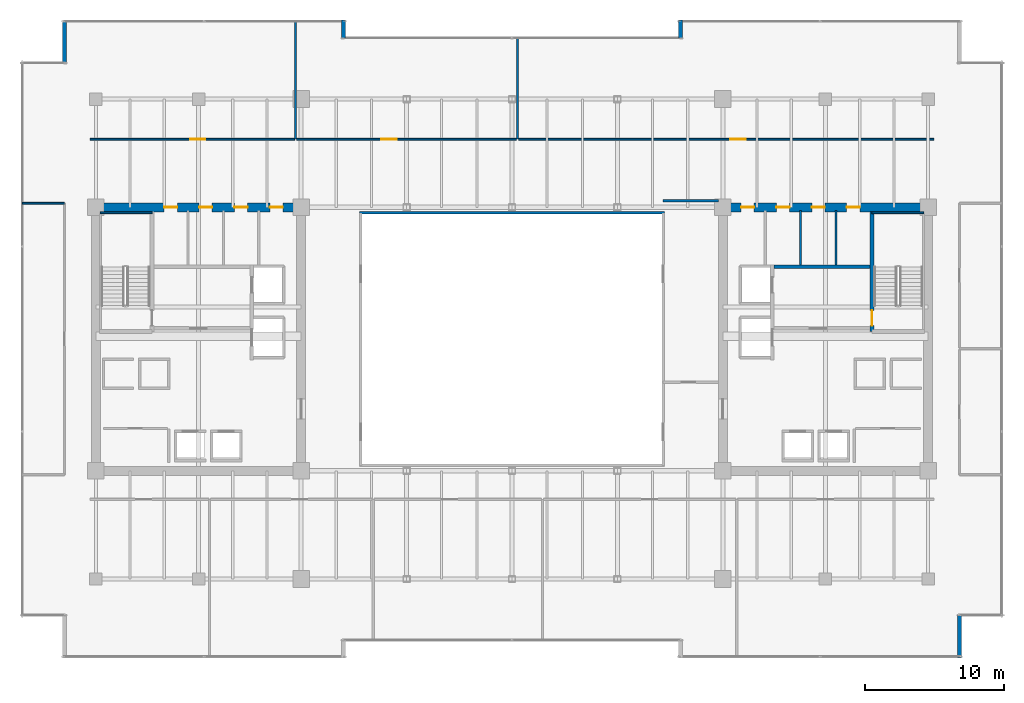
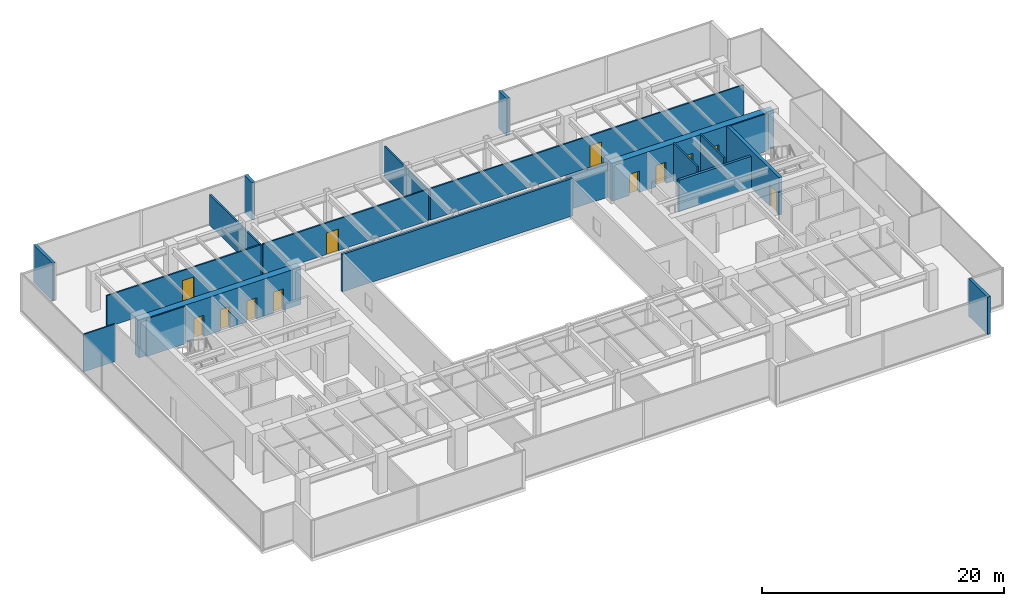
# One storey, part 27 of 30: 20 walls, 12 doors, 12 openings.
"""IFC4 building model written with IfcOpenShell, lengths in metres."""

from ifc_helpers import new_model, si_unit, direction, frame, frame_2d, origin, place, context, subcontext, project, spatial, rectangle, extrude, source, transform, mapped, material, layer, layer_set, type_object, type_shapes, element, fill, save


model = new_model("IFC4")

# Units and contexts
model_context = context("Model", 3, precision=1e-05, world=origin(), true_north=direction((0.0, 1.0)))
body_context = subcontext(model_context, "Body", "Model", "MODEL_VIEW")
ifc_project = project(units=[si_unit("LENGTHUNIT", "METRE"), si_unit("AREAUNIT", "SQUARE_METRE"), si_unit("VOLUMEUNIT", "CUBIC_METRE"), si_unit("PLANEANGLEUNIT", "RADIAN"), si_unit("MASSUNIT", "GRAM", prefix="KILO")], contexts=[model_context])

# Site, building, storey
site_placement = place(None, origin())
site = spatial("IfcSite", under=ifc_project, at=site_placement, CompositionType="ELEMENT")
building_placement = place(site_placement, origin())
building = spatial("IfcBuilding", under=site, at=building_placement, Name="Haelvirn Gate Laboratories", CompositionType="ELEMENT")
storey_placement = place(building_placement, frame((0.0, 0.0, 187.10009765625)))
storey = spatial("IfcBuildingStorey", under=building, at=storey_placement, Name="L45", CompositionType="ELEMENT", Elevation=187.10009765625)

# Walls
ifc_material_1 = material(Name="Thermally-broken bronze aluminium rainscreen & mineral wool", Category="aluminium")
ifc_layer_1 = layer(ifc_material_1, 0.280029296875, Name="EW-TERR-280")
ifc_layer_set_1 = layer_set([ifc_layer_1], Name="Thermally-broken bronze aluminium rainscreen & mineral wool")
wall_type_1 = type_object("IfcWallType", Name="EW-TERR-280", PredefinedType="STANDARD", material=ifc_layer_set_1)
wall_1_placement = place(storey_placement, frame((69.659912109375, 1.300048828125, 0.0), z_axis=(0.0, 0.0, 1.0), x_axis=(0.0, 1.0, 0.0)))
element("IfcWall", 1, at=wall_1_placement, inside=storey, type_object=wall_type_1, Name="L45 Atrium Recess Bronze Return Wall 05", PredefinedType="STANDARD", context=body_context, shape_type="SweptSolid", body=[
    extrude(rectangle(XDim=3.087890625, YDim=0.280029296875, at=frame_2d((1.5439453125, 0.0))), origin(), (0.0, 0.0, 1.0), 3.789794921875),
])
for number, where, z_axis, x_axis, name in (
    (2, (49.5400390625, 47.300048828125, 0.0), (0.0, 0.0, 1.0), (0.0, -1.0, 0.0), "L45 Atrium Recess Bronze Return Wall 11"),
    (3, (25.260009765625, 46.011962890625, 0.0), (0.0, 0.0, 1.0), (0.0, 1.0, 0.0), "L45 Atrium Recess Bronze Return Wall 13"),
):
    element("IfcWall", number, at=place(storey_placement, frame(where, z_axis=z_axis, x_axis=x_axis)), inside=storey, type_object=wall_type_1, Name=name, PredefinedType="STANDARD", context=body_context, shape_type="SweptSolid", body=[
        extrude(rectangle(XDim=1.2880859375, YDim=0.280029296875, at=frame_2d((0.64404296875, 0.0))), origin(), (0.0, 0.0, 1.0), 3.789794921875),
    ])
wall_2_placement = place(storey_placement, frame((5.139892578125, 47.300048828125, 0.0), z_axis=(0.0, 0.0, 1.0), x_axis=(0.0, -1.0, 0.0)))
element("IfcWall", 4, at=wall_2_placement, inside=storey, type_object=wall_type_1, Name="L45 Atrium Recess Bronze Return Wall 15", PredefinedType="STANDARD", context=body_context, shape_type="SweptSolid", body=[
    extrude(rectangle(XDim=3.088134765625, YDim=0.280029296875, at=frame_2d((1.5439453125, 0.0))), origin(), (0.0, 0.0, 1.0), 3.789794921875),
])
ifc_material_2 = material(Name="Double-layer acoustic gypsum laboratory partition", Category="gypsum")
ifc_layer_2 = layer(ifc_material_2, 0.159912109375, Name="IW-ACOUST-160")
ifc_layer_set_2 = layer_set([ifc_layer_2], Name="Double-layer acoustic gypsum laboratory partition")
wall_type_2 = type_object("IfcWallType", Name="IW-ACOUST-160", PredefinedType="PARTITIONING", material=ifc_layer_set_2)
wall_3_placement = place(storey_placement, frame((21.800048828125, 38.705078125, 0.0), z_axis=(0.0, 0.0, 1.0), x_axis=(0.0, 1.0, 0.0)))
element("IfcWall", 5, at=wall_3_placement, inside=storey, type_object=wall_type_2, Name="L45 Interior Wall IW-L45-NDIV-01", PredefinedType="PARTITIONING", context=body_context, shape_type="SweptSolid", body=[
    extrude(rectangle(XDim=8.48486328125, YDim=0.159912109375, at=frame_2d((4.242431640625, 0.0))), origin(), (0.0, 0.0, 1.0), 3.074951171875),
])
wall_4_placement = place(storey_placement, frame((37.800048828125, 38.705078125, 0.0), z_axis=(0.0, 0.0, 1.0), x_axis=(0.0, 1.0, 0.0)))
element("IfcWall", 6, at=wall_4_placement, inside=storey, type_object=wall_type_2, Name="L45 Interior Wall IW-L45-NDIV-02", PredefinedType="PARTITIONING", context=body_context, shape_type="SweptSolid", body=[
    extrude(rectangle(XDim=7.284912109375, YDim=0.159912109375, at=frame_2d((3.642578125, 0.0))), origin(), (0.0, 0.0, 1.0), 3.074951171875),
])
ifc_material_3 = material(Name="Fire-rated acoustic gypsum board partition", Category="gypsum")
ifc_layer_3 = layer(ifc_material_3, 0.175048828125, Name="IW-ACOUST-180")
ifc_layer_set_3 = layer_set([ifc_layer_3], Name="Fire-rated acoustic gypsum board partition")
wall_type_3 = type_object("IfcWallType", Name="IW-ACOUST-180", PredefinedType="PARTITIONING", material=ifc_layer_set_3)
wall_5_placement = place(storey_placement, frame((48.300048828125, 34.260009765625, 0.0), z_axis=(0.0, 0.0, 1.0), x_axis=(1.0, 0.0, 0.0)))
element("IfcWall", 7, at=wall_5_placement, inside=storey, type_object=wall_type_3, Name="L45 Interior Wall IW-L45-ASEM-N", PredefinedType="PARTITIONING", context=body_context, shape_type="SweptSolid", body=[
    extrude(rectangle(XDim=3.974853515625, YDim=0.175048828125, at=frame_2d((1.9873046875, 0.0))), origin(), (0.0, 0.0, 1.0), 3.474853515625),
])
ifc_material_4 = material(Name="Tempered fire-rated borosilicate glass & anodised aluminium", Category="aluminium")
ifc_layer_4 = layer(ifc_material_4, 0.195068359375, Name="IW-GLAZ-200")
ifc_layer_set_4 = layer_set([ifc_layer_4], Name="Tempered fire-rated borosilicate glass & anodised aluminium")
wall_type_4 = type_object("IfcWallType", Name="IW-GLAZ-200", PredefinedType="SOLIDWALL", material=ifc_layer_set_4)
wall_6_placement = place(storey_placement, frame((26.39990234375, 33.39990234375, 0.0), z_axis=(0.0, 0.0, 1.0), x_axis=(1.0, 0.0, 0.0)))
element("IfcWall", 8, at=wall_6_placement, inside=storey, type_object=wall_type_4, Name="L45 Interior Wall IW-L45-ATRIUM-N", PredefinedType="SOLIDWALL", context=body_context, shape_type="SweptSolid", body=[
    extrude(rectangle(XDim=22.0, YDim=0.195068359375, at=frame_2d((11.0, 0.0))), origin(), (0.0, 0.0, 1.0), 3.789794921875),
])
ifc_material_5 = material(Name="Lightweight acoustic gypsum board partition", Category="gypsum")
ifc_layer_5 = layer(ifc_material_5, 0.1201171875, Name="IW-PART-120")
ifc_layer_set_5 = layer_set([ifc_layer_5], Name="Lightweight acoustic gypsum board partition")
wall_type_5 = type_object("IfcWallType", Name="IW-PART-120", PredefinedType="PARTITIONING", material=ifc_layer_set_5)
wall_7_placement = place(storey_placement, frame((2.110107421875, 34.0849609375, 0.0), z_axis=(0.0, 0.0, 1.0), x_axis=(1.0, 0.0, 0.0)))
element("IfcWall", 9, at=wall_7_placement, inside=storey, type_object=wall_type_5, Name="L45 Interior Wall IW-L45-WCAP-N", PredefinedType="PARTITIONING", context=body_context, shape_type="SweptSolid", body=[
    extrude(rectangle(XDim=3.019775390625, YDim=0.1201171875, at=frame_2d((1.509765625, 0.0))), origin(), (0.0, 0.0, 1.0), 3.789794921875),
])

# Wall, opening, door
ifc_material_6 = material(Name="Acoustic mineral-wool gypsum board partition", Category="gypsum")
ifc_layer_6 = layer(ifc_material_6, 0.139892578125, Name="IW-PART-140")
ifc_layer_set_6 = layer_set([ifc_layer_6], Name="Acoustic mineral-wool gypsum board partition")
wall_type_6 = type_object("IfcWallType", Name="IW-PART-140", PredefinedType="PARTITIONING", material=ifc_layer_set_6)
wall_8_placement = place(storey_placement, frame((6.97998046875, 38.705078125, 0.0), z_axis=(0.0, 0.0, 1.0), x_axis=(1.0, 0.0, 0.0)))
wall_8 = element("IfcWall", 10, at=wall_8_placement, inside=storey, type_object=wall_type_6, Name="L45 Interior Wall IW-L45-NCORR-01", PredefinedType="PARTITIONING", context=body_context, shape_type="SweptSolid", body=[
    extrude(rectangle(XDim=14.739990234375, YDim=0.139892578125, at=frame_2d((7.3701171875, 0.0))), origin(), (0.0, 0.0, 1.0), 3.18701171875),
])
opening_1_placement = place(wall_8_placement, frame((7.208251953125, 0.0, 0.0)))
opening_1 = element("IfcOpeningElement", 11, at=opening_1_placement, cuts=wall_8, Name="Opening D1", PredefinedType="OPENING", context=body_context, shape_type="SweptSolid", body=[
    extrude(rectangle(XDim=1.10009765625, YDim=2.179931640625, at=frame_2d((0.550048828125, 1.08984375))), frame((0.0, 0.080078125, 0.0), z_axis=(0.0, -1.0, 0.0), x_axis=(1.0, 0.0, 0.0)), (0.0, 0.0, 1.0), 0.159912109375),
])
ifc_material_7 = material(Name="Vision-panel acoustic solid-core timber lab door", Category="wood")
door_type_1 = type_object("IfcDoorType", Name="DR-LAB-1100", OperationType="NOTDEFINED", PredefinedType="DOOR", material=ifc_material_7)
shared_shape_1 = source(origin(), body_context, "Body", "SweptSolid", [
    extrude(rectangle(XDim=1.10009765625, YDim=2.179931640625, at=frame_2d((0.550048828125, 1.08984375))), frame((0.0, 0.02490234375, 0.0), z_axis=(0.0, -1.0, 0.0), x_axis=(1.0, 0.0, 0.0)), (0.0, 0.0, 1.0), 0.050048828125),
])
type_shapes(door_type_1, [shared_shape_1])
door_1_placement = place(opening_1_placement, origin())
door_1 = element("IfcDoor", 12, at=door_1_placement, inside=storey, type_object=door_type_1, Name="L45 Analytical Instrument Suite Door N1", OperationType="SINGLE_SWING_LEFT", OverallHeight=2.179931640625, OverallWidth=1.10009765625, PredefinedType="DOOR", context=body_context, shape_type="MappedRepresentation", body=[
    mapped(shared_shape_1, transform((0.0, 0.0, 0.0), scale=1.0)),
])
fill(opening_1, door_1)

wall_9_placement = place(storey_placement, frame((21.8798828125, 38.705078125, 0.0), z_axis=(0.0, 0.0, 1.0), x_axis=(1.0, 0.0, 0.0)))
wall_9 = element("IfcWall", 13, at=wall_9_placement, inside=storey, type_object=wall_type_6, Name="L45 Interior Wall IW-L45-NCORR-02", PredefinedType="PARTITIONING", context=body_context, shape_type="SweptSolid", body=[
    extrude(rectangle(XDim=15.840087890625, YDim=0.139892578125, at=frame_2d((7.919921875, 0.0))), origin(), (0.0, 0.0, 1.0), 3.18701171875),
])
opening_2_placement = place(wall_9_placement, frame((6.1064453125, 0.0, 0.0)))
opening_2 = element("IfcOpeningElement", 14, at=opening_2_placement, cuts=wall_9, Name="Opening D1", PredefinedType="OPENING", context=body_context, shape_type="SweptSolid", body=[
    extrude(rectangle(XDim=1.10009765625, YDim=2.179931640625, at=frame_2d((0.550048828125, 1.08984375))), frame((0.0, 0.080078125, 0.0), z_axis=(0.0, -1.0, 0.0), x_axis=(1.0, 0.0, 0.0)), (0.0, 0.0, 1.0), 0.159912109375),
])
door_2_placement = place(opening_2_placement, origin())
door_2 = element("IfcDoor", 15, at=door_2_placement, inside=storey, type_object=door_type_1, Name="L45 Researcher Quiet Study Door N2", OperationType="SINGLE_SWING_RIGHT", OverallHeight=2.179931640625, OverallWidth=1.10009765625, PredefinedType="DOOR", context=body_context, shape_type="MappedRepresentation", body=[
    mapped(shared_shape_1, transform((0.0, 0.0, 0.0), scale=1.0)),
])
fill(opening_2, door_2)

wall_10_placement = place(storey_placement, frame((37.8798828125, 38.705078125, 0.0), z_axis=(0.0, 0.0, 1.0), x_axis=(1.0, 0.0, 0.0)))
wall_10 = element("IfcWall", 16, at=wall_10_placement, inside=storey, type_object=wall_type_6, Name="L45 Interior Wall IW-L45-NCORR-03", PredefinedType="PARTITIONING", context=body_context, shape_type="SweptSolid", body=[
    extrude(rectangle(XDim=29.940185546875, YDim=0.139892578125, at=frame_2d((14.97021484375, 0.0))), origin(), (0.0, 0.0, 1.0), 3.18701171875),
])
opening_3_placement = place(wall_10_placement, frame((15.26416015625, 0.0, 0.0)))
opening_3 = element("IfcOpeningElement", 17, at=opening_3_placement, cuts=wall_10, Name="Opening D1", PredefinedType="OPENING", context=body_context, shape_type="SweptSolid", body=[
    extrude(rectangle(XDim=1.10009765625, YDim=2.179931640625, at=frame_2d((0.550048828125, 1.08984375))), frame((0.0, 0.080078125, 0.0), z_axis=(0.0, -1.0, 0.0), x_axis=(1.0, 0.0, 0.0)), (0.0, 0.0, 1.0), 0.159912109375),
])
door_3_placement = place(opening_3_placement, origin())
door_3 = element("IfcDoor", 18, at=door_3_placement, inside=storey, type_object=door_type_1, Name="L45 Postdoctoral Reading Lounge Door N3", OperationType="SINGLE_SWING_LEFT", OverallHeight=2.179931640625, OverallWidth=1.10009765625, PredefinedType="DOOR", context=body_context, shape_type="MappedRepresentation", body=[
    mapped(shared_shape_1, transform((0.0, 0.0, 0.0), scale=1.0)),
])
fill(opening_3, door_3)

# Walls
ifc_material_8 = material(Name="Cement-board restroom plumbing chase wall", Category="gypsum")
ifc_layer_7 = layer(ifc_material_8, 0.155029296875, Name="IW-PLUMB-160")
ifc_layer_set_7 = layer_set([ifc_layer_7], Name="Cement-board restroom plumbing chase wall")
wall_type_7 = type_object("IfcWallType", Name="IW-PLUMB-160", PredefinedType="PLUMBINGWALL", material=ifc_layer_set_7)
for number, where, z_axis, x_axis, name in (
    (19, (60.760009765625, 29.64990234375, 0.0), (0.0, 0.0, 1.0), (0.0, 1.0, 0.0), "L45 Interior Wall IW-L45-E-CDIV-1"),
    (20, (58.2099609375, 29.64990234375, 0.0), (0.0, 0.0, 1.0), (0.0, 1.0, 0.0), "L45 Interior Wall IW-L45-E-CDIV-2"),
):
    element("IfcWall", number, at=place(storey_placement, frame(where, z_axis=z_axis, x_axis=x_axis)), inside=storey, type_object=wall_type_7, Name=name, PredefinedType="PLUMBINGWALL", context=body_context, shape_type="SweptSolid", body=[
        extrude(rectangle(XDim=3.93017578125, YDim=0.155029296875, at=frame_2d((1.965087890625, 0.0))), origin(), (0.0, 0.0, 1.0), 3.789794921875),
    ])
ifc_material_9 = material(Name="Concrete C40/50", Category="concrete")
ifc_layer_8 = layer(ifc_material_9, 0.239990234375, Name="IW-SHAFT-240")
ifc_layer_set_8 = layer_set([ifc_layer_8], Name="Concrete C40/50")
wall_type_8 = type_object("IfcWallType", Name="IW-SHAFT-240", PredefinedType="SOLIDWALL", material=ifc_layer_set_8)
wall_11_placement = place(storey_placement, frame((56.280029296875, 29.52001953125, 0.0), z_axis=(0.0, 0.0, 1.0), x_axis=(1.0, 0.0, 0.0)))
element("IfcWall", 21, at=wall_11_placement, inside=storey, type_object=wall_type_8, Name="L45 Interior Wall IW-L45-E-FF-N", PredefinedType="SOLIDWALL", context=body_context, shape_type="SweptSolid", body=[
    extrude(rectangle(XDim=6.919921875, YDim=0.239990234375, at=frame_2d((3.4599609375, 0.0))), origin(), (0.0, 0.0, 1.0), 3.18701171875),
])

# Wall, openings, doors
ifc_material_10 = material(Name="Concrete C60/75", Category="concrete")
ifc_layer_9 = layer(ifc_material_10, 0.64990234375, Name="SW-CORE-650")
ifc_layer_set_9 = layer_set([ifc_layer_9], Name="Concrete C60/75")
wall_type_9 = type_object("IfcWallType", Name="SW-CORE-650", PredefinedType="SHEAR", material=ifc_layer_set_9)
wall_12_placement = place(storey_placement, frame((7.074951171875, 33.800048828125, 0.0), z_axis=(0.0, 0.0, 1.0), x_axis=(1.0, 0.0, 0.0)))
wall_12 = element("IfcWall", 22, at=wall_12_placement, inside=storey, type_object=wall_type_9, Name="L45 W Core Shear Wall N", PredefinedType="SHEAR", context=body_context, shape_type="SweptSolid", body=[
    extrude(rectangle(XDim=15.449951171875, YDim=0.64990234375, at=frame_2d((7.72509765625, 0.0))), origin(), (0.0, 0.0, 1.0), 3.789794921875),
])
opening_4_placement = place(wall_12_placement, frame((5.25, 0.0, 0.0)))
opening_4 = element("IfcOpeningElement", 23, at=opening_4_placement, cuts=wall_12, Name="Opening FD4", PredefinedType="OPENING", context=body_context, shape_type="SweptSolid", body=[
    extrude(rectangle(XDim=0.949951171875, YDim=2.14990234375, at=frame_2d((0.47509765625, 1.074951171875))), frame((0.0, 0.3349609375, 0.0), z_axis=(0.0, -1.0, 0.0), x_axis=(1.0, 0.0, 0.0)), (0.0, 0.0, 1.0), 0.669921875),
])
opening_5_placement = place(wall_12_placement, frame((7.764892578125, 0.0, 0.0)))
opening_5 = element("IfcOpeningElement", 24, at=opening_5_placement, cuts=wall_12, Name="Opening FD4", PredefinedType="OPENING", context=body_context, shape_type="SweptSolid", body=[
    extrude(rectangle(XDim=0.949951171875, YDim=2.14990234375, at=frame_2d((0.47509765625, 1.074951171875))), frame((0.0, 0.3349609375, 0.0), z_axis=(0.0, -1.0, 0.0), x_axis=(1.0, 0.0, 0.0)), (0.0, 0.0, 1.0), 0.669921875),
])
opening_6_placement = place(wall_12_placement, frame((10.31494140625, 0.0, 0.0)))
opening_6 = element("IfcOpeningElement", 25, at=opening_6_placement, cuts=wall_12, Name="Opening FD4", PredefinedType="OPENING", context=body_context, shape_type="SweptSolid", body=[
    extrude(rectangle(XDim=0.949951171875, YDim=2.14990234375, at=frame_2d((0.47509765625, 1.074951171875))), frame((0.0, 0.3349609375, 0.0), z_axis=(0.0, -1.0, 0.0), x_axis=(1.0, 0.0, 0.0)), (0.0, 0.0, 1.0), 0.669921875),
])
opening_7_placement = place(wall_12_placement, frame((12.864990234375, 0.0, 0.0)))
opening_7 = element("IfcOpeningElement", 26, at=opening_7_placement, cuts=wall_12, Name="Opening FD4", PredefinedType="OPENING", context=body_context, shape_type="SweptSolid", body=[
    extrude(rectangle(XDim=0.949951171875, YDim=2.14990234375, at=frame_2d((0.47509765625, 1.074951171875))), frame((0.0, 0.3349609375, 0.0), z_axis=(0.0, -1.0, 0.0), x_axis=(1.0, 0.0, 0.0)), (0.0, 0.0, 1.0), 0.669921875),
])
ifc_material_11 = material(Name="Fire-rated steel SM355 core service door", Category="steel")
door_type_2 = type_object("IfcDoorType", Name="DR-FD-950", OperationType="NOTDEFINED", PredefinedType="DOOR", material=ifc_material_11)
shared_shape_2 = source(origin(), body_context, "Body", "SweptSolid", [
    extrude(rectangle(XDim=0.949951171875, YDim=2.14990234375, at=frame_2d((0.47509765625, 1.074951171875))), frame((0.0, 0.02490234375, 0.0), z_axis=(0.0, -1.0, 0.0), x_axis=(1.0, 0.0, 0.0)), (0.0, 0.0, 1.0), 0.050048828125),
])
type_shapes(door_type_2, [shared_shape_2])
door_4_placement = place(opening_4_placement, origin())
door_4 = element("IfcDoor", 27, at=door_4_placement, inside=storey, type_object=door_type_2, Name="L45 Male Restroom Fire Door", OperationType="SINGLE_SWING_RIGHT", OverallHeight=2.14990234375, OverallWidth=0.949951171875, PredefinedType="DOOR", context=body_context, shape_type="MappedRepresentation", body=[
    mapped(shared_shape_2, transform((0.0, 0.0, 0.0), scale=1.0)),
])
fill(opening_4, door_4)
door_5_placement = place(opening_5_placement, origin())
door_5 = element("IfcDoor", 28, at=door_5_placement, inside=storey, type_object=door_type_2, Name="L45 Female Restroom Fire Door", OperationType="SINGLE_SWING_LEFT", OverallHeight=2.14990234375, OverallWidth=0.949951171875, PredefinedType="DOOR", context=body_context, shape_type="MappedRepresentation", body=[
    mapped(shared_shape_2, transform((0.0, 0.0, 0.0), scale=1.0)),
])
fill(opening_5, door_5)
door_6_placement = place(opening_6_placement, origin())
door_6 = element("IfcDoor", 29, at=door_6_placement, inside=storey, type_object=door_type_2, Name="L45 Accessible Restroom Fire Door", OperationType="SINGLE_SWING_RIGHT", OverallHeight=2.14990234375, OverallWidth=0.949951171875, PredefinedType="DOOR", context=body_context, shape_type="MappedRepresentation", body=[
    mapped(shared_shape_2, transform((0.0, 0.0, 0.0), scale=1.0)),
])
fill(opening_6, door_6)
door_7_placement = place(opening_7_placement, origin())
door_7 = element("IfcDoor", 30, at=door_7_placement, inside=storey, type_object=door_type_2, Name="L45 Decontamination Shower Washroom Fire Door", OperationType="SINGLE_SWING_LEFT", OverallHeight=2.14990234375, OverallWidth=0.949951171875, PredefinedType="DOOR", context=body_context, shape_type="MappedRepresentation", body=[
    mapped(shared_shape_2, transform((0.0, 0.0, 0.0), scale=1.0)),
])
fill(opening_7, door_7)

wall_13_placement = place(storey_placement, frame((52.27490234375, 33.800048828125, 0.0), z_axis=(0.0, 0.0, 1.0), x_axis=(1.0, 0.0, 0.0)))
wall_13 = element("IfcWall", 31, at=wall_13_placement, inside=storey, type_object=wall_type_9, Name="L45 E Core Shear Wall N", PredefinedType="SHEAR", context=body_context, shape_type="SweptSolid", body=[
    extrude(rectangle(XDim=15.4501953125, YDim=0.64990234375, at=frame_2d((7.72509765625, 0.0))), origin(), (0.0, 0.0, 1.0), 3.789794921875),
])
opening_8_placement = place(wall_13_placement, frame((9.25, 0.0, 0.0)))
opening_8 = element("IfcOpeningElement", 32, at=opening_8_placement, cuts=wall_13, Name="Opening FD4", PredefinedType="OPENING", context=body_context, shape_type="SweptSolid", body=[
    extrude(rectangle(XDim=0.949951171875, YDim=2.14990234375, at=frame_2d((0.47509765625, 1.074951171875))), frame((0.0, 0.3349609375, 0.0), z_axis=(0.0, -1.0, 0.0), x_axis=(1.0, 0.0, 0.0)), (0.0, 0.0, 1.0), 0.669921875),
])
opening_9_placement = place(wall_13_placement, frame((6.735107421875, 0.0, 0.0)))
opening_9 = element("IfcOpeningElement", 33, at=opening_9_placement, cuts=wall_13, Name="Opening FD4", PredefinedType="OPENING", context=body_context, shape_type="SweptSolid", body=[
    extrude(rectangle(XDim=0.949951171875, YDim=2.14990234375, at=frame_2d((0.47509765625, 1.074951171875))), frame((0.0, 0.3349609375, 0.0), z_axis=(0.0, -1.0, 0.0), x_axis=(1.0, 0.0, 0.0)), (0.0, 0.0, 1.0), 0.669921875),
])
opening_10_placement = place(wall_13_placement, frame((4.18505859375, 0.0, 0.0)))
opening_10 = element("IfcOpeningElement", 34, at=opening_10_placement, cuts=wall_13, Name="Opening FD4", PredefinedType="OPENING", context=body_context, shape_type="SweptSolid", body=[
    extrude(rectangle(XDim=0.949951171875, YDim=2.14990234375, at=frame_2d((0.47509765625, 1.074951171875))), frame((0.0, 0.3349609375, 0.0), z_axis=(0.0, -1.0, 0.0), x_axis=(1.0, 0.0, 0.0)), (0.0, 0.0, 1.0), 0.669921875),
])
opening_11_placement = place(wall_13_placement, frame((1.635009765625, 0.0, 0.0)))
opening_11 = element("IfcOpeningElement", 35, at=opening_11_placement, cuts=wall_13, Name="Opening FD4", PredefinedType="OPENING", context=body_context, shape_type="SweptSolid", body=[
    extrude(rectangle(XDim=0.949951171875, YDim=2.14990234375, at=frame_2d((0.47509765625, 1.074951171875))), frame((0.0, 0.3349609375, 0.0), z_axis=(0.0, -1.0, 0.0), x_axis=(1.0, 0.0, 0.0)), (0.0, 0.0, 1.0), 0.669921875),
])
door_8_placement = place(opening_8_placement, origin())
door_8 = element("IfcDoor", 36, at=door_8_placement, inside=storey, type_object=door_type_2, Name="L45 Male Restroom Fire Door", OperationType="SINGLE_SWING_RIGHT", OverallHeight=2.14990234375, OverallWidth=0.949951171875, PredefinedType="DOOR", context=body_context, shape_type="MappedRepresentation", body=[
    mapped(shared_shape_2, transform((0.0, 0.0, 0.0), scale=1.0)),
])
fill(opening_8, door_8)
door_9_placement = place(opening_9_placement, origin())
door_9 = element("IfcDoor", 37, at=door_9_placement, inside=storey, type_object=door_type_2, Name="L45 Female Restroom Fire Door", OperationType="SINGLE_SWING_LEFT", OverallHeight=2.14990234375, OverallWidth=0.949951171875, PredefinedType="DOOR", context=body_context, shape_type="MappedRepresentation", body=[
    mapped(shared_shape_2, transform((0.0, 0.0, 0.0), scale=1.0)),
])
fill(opening_9, door_9)
door_10_placement = place(opening_10_placement, origin())
door_10 = element("IfcDoor", 38, at=door_10_placement, inside=storey, type_object=door_type_2, Name="L45 Accessible Restroom Fire Door", OperationType="SINGLE_SWING_RIGHT", OverallHeight=2.14990234375, OverallWidth=0.949951171875, PredefinedType="DOOR", context=body_context, shape_type="MappedRepresentation", body=[
    mapped(shared_shape_2, transform((0.0, 0.0, 0.0), scale=1.0)),
])
fill(opening_10, door_10)
door_11_placement = place(opening_11_placement, origin())
door_11 = element("IfcDoor", 39, at=door_11_placement, inside=storey, type_object=door_type_2, Name="L45 Decontamination Shower Washroom Fire Door", OperationType="SINGLE_SWING_LEFT", OverallHeight=2.14990234375, OverallWidth=0.949951171875, PredefinedType="DOOR", context=body_context, shape_type="MappedRepresentation", body=[
    mapped(shared_shape_2, transform((0.0, 0.0, 0.0), scale=1.0)),
])
fill(opening_11, door_11)

# Walls
ifc_material_12 = material(Name="Concrete C50/60", Category="concrete")
ifc_layer_10 = layer(ifc_material_12, 0.1201171875, Name="SW-LINER-120")
ifc_layer_set_10 = layer_set([ifc_layer_10], Name="Concrete C50/60")
wall_type_10 = type_object("IfcWallType", Name="SW-LINER-120", PredefinedType="SOLIDWALL", material=ifc_layer_set_10)
for number, where, z_axis, x_axis, name in (
    (40, (7.72998046875, 33.39990234375, 0.0), (0.0, 0.0, 1.0), (1.0, 0.0, 0.0), "L45 W Core Stair Shaft Liner Wall N"),
    (41, (63.35009765625, 33.39990234375, 0.0), (0.0, 0.0, 1.0), (1.0, 0.0, 0.0), "L45 E Core Stair Shaft Liner Wall N"),
):
    element("IfcWall", number, at=place(storey_placement, frame(where, z_axis=z_axis, x_axis=x_axis)), inside=storey, type_object=wall_type_10, Name=name, PredefinedType="SOLIDWALL", context=body_context, shape_type="SweptSolid", body=[
        extrude(rectangle(XDim=3.719970703125, YDim=0.1201171875, at=frame_2d((1.85986328125, 0.0))), origin(), (0.0, 0.0, 1.0), 3.789794921875),
    ])

# Wall, opening, door
ifc_layer_11 = layer(ifc_material_12, 0.300048828125, Name="SW-STAIR-300")
ifc_layer_set_11 = layer_set([ifc_layer_11], Name="Concrete C50/60")
wall_type_11 = type_object("IfcWallType", Name="SW-STAIR-300", PredefinedType="SHEAR", material=ifc_layer_set_11)
wall_14_placement = place(storey_placement, frame((63.35009765625, 24.85009765625, 0.0), z_axis=(0.0, 0.0, 1.0), x_axis=(0.0, 1.0, 0.0)))
wall_14 = element("IfcWall", 42, at=wall_14_placement, inside=storey, type_object=wall_type_11, Name="L45 E Core Stair Shaft Structural Wall IN", PredefinedType="SHEAR", context=body_context, shape_type="SweptSolid", body=[
    extrude(rectangle(XDim=8.6298828125, YDim=0.300048828125, at=frame_2d((4.31494140625, 0.0))), origin(), (0.0, 0.0, 1.0), 3.789794921875),
])
opening_12_placement = place(wall_14_placement, frame((0.419921875, 0.0, 0.0)))
opening_12 = element("IfcOpeningElement", 43, at=opening_12_placement, cuts=wall_14, Name="Opening FD3", PredefinedType="OPENING", context=body_context, shape_type="SweptSolid", body=[
    extrude(rectangle(XDim=1.10009765625, YDim=2.14990234375, at=frame_2d((0.550048828125, 1.074951171875))), frame((0.0, 0.16015625, 0.0), z_axis=(0.0, -1.0, 0.0), x_axis=(1.0, 0.0, 0.0)), (0.0, 0.0, 1.0), 0.320068359375),
])
ifc_material_13 = material(Name="Fire-rated steel SM355 escape stair door", Category="steel")
door_type_3 = type_object("IfcDoorType", Name="DR-FD-1100", OperationType="NOTDEFINED", PredefinedType="DOOR", material=ifc_material_13)
shared_shape_3 = source(origin(), body_context, "Body", "SweptSolid", [
    extrude(rectangle(XDim=1.10009765625, YDim=2.14990234375, at=frame_2d((0.550048828125, 1.074951171875))), frame((0.0, 0.02490234375, 0.0), z_axis=(0.0, -1.0, 0.0), x_axis=(1.0, 0.0, 0.0)), (0.0, 0.0, 1.0), 0.050048828125),
])
type_shapes(door_type_3, [shared_shape_3])
door_12_placement = place(opening_12_placement, origin())
door_12 = element("IfcDoor", 44, at=door_12_placement, inside=storey, type_object=door_type_3, Name="L45 Escape Stair ST2 Fire Door", OperationType="SINGLE_SWING_RIGHT", OverallHeight=2.14990234375, OverallWidth=1.10009765625, PredefinedType="DOOR", context=body_context, shape_type="MappedRepresentation", body=[
    mapped(shared_shape_3, transform((0.0, 0.0, 0.0), scale=1.0)),
])
fill(opening_12, door_12)

save(model, "model.ifc")
